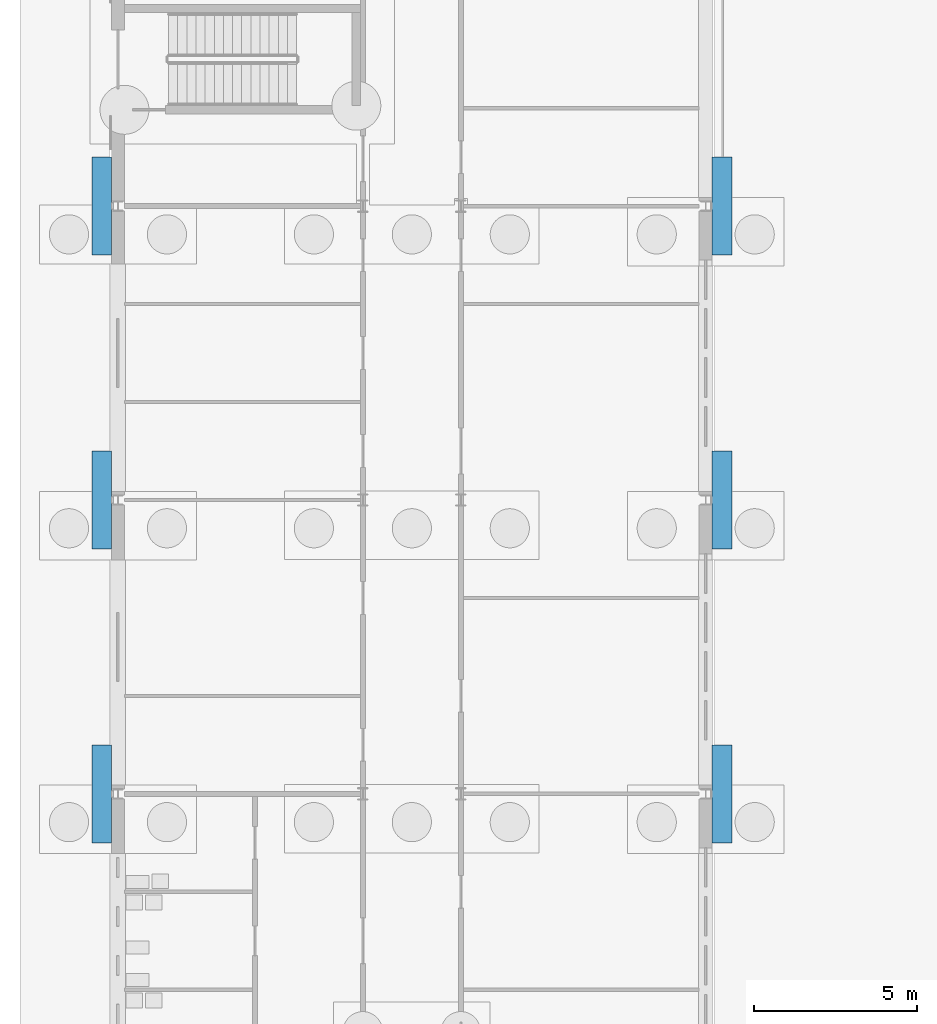
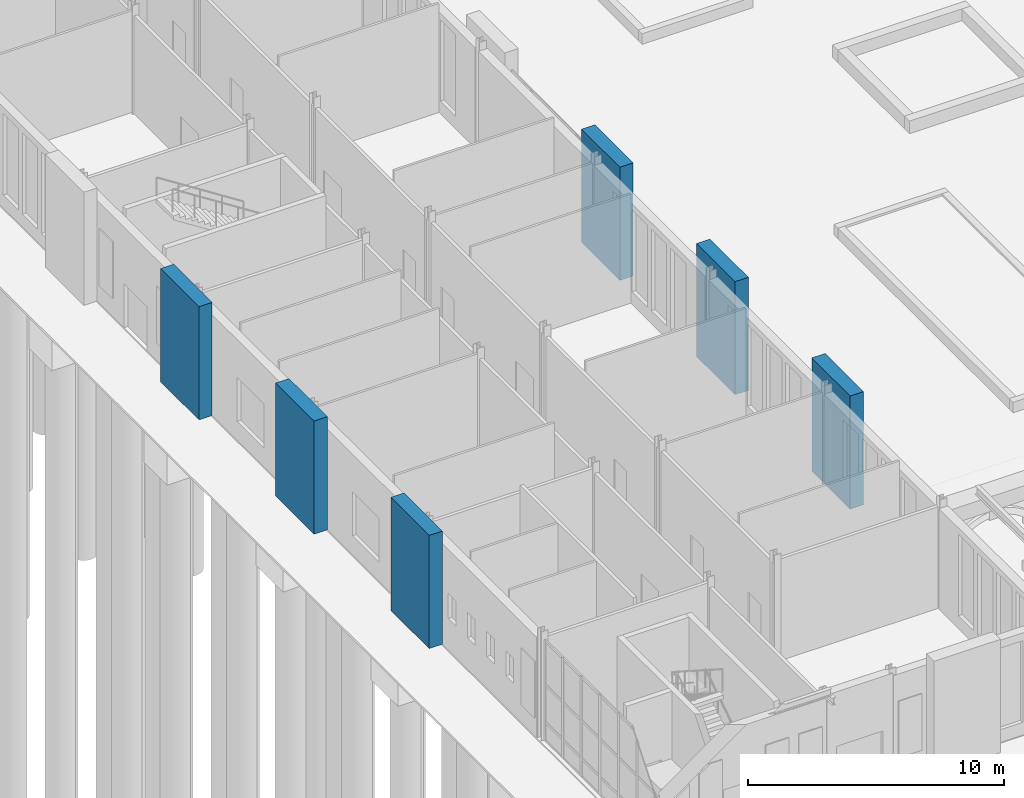
# One storey, part 38 of 168: 6 members.
"""IFC4 building model written with IfcOpenShell, lengths in metres."""

from ifc_helpers import new_model, si_unit, direction, frame, origin, origin_2d, place, context, subcontext, project, spatial, rectangle, extrude, material, material_profile, profile_set, type_object, element, save


model = new_model("IFC4")

# Units and contexts
model_context = context("Model", 3, precision=1e-05, world=origin(), true_north=direction((0.0, 1.0)))
body_context = subcontext(model_context, "Body", "Model", "MODEL_VIEW")
ifc_project = project(units=[si_unit("LENGTHUNIT", "METRE"), si_unit("AREAUNIT", "SQUARE_METRE"), si_unit("VOLUMEUNIT", "CUBIC_METRE"), si_unit("PLANEANGLEUNIT", "RADIAN"), si_unit("MASSUNIT", "GRAM", prefix="KILO")], contexts=[model_context])

# Site, building, storey
site_placement = place(None, origin())
site = spatial("IfcSite", under=ifc_project, at=site_placement, CompositionType="ELEMENT")
building_placement = place(site_placement, origin())
building = spatial("IfcBuilding", under=site, at=building_placement, Name="Golden Quay Civic Hall", CompositionType="ELEMENT")
storey_placement = place(building_placement, origin())
storey = spatial("IfcBuildingStorey", under=building, at=storey_placement, Name="L00", CompositionType="ELEMENT", Elevation=0.0)

# Members
ifc_material = material(Name="Concrete C40/50", Category="concrete")
ifc_material_profile = material_profile(ifc_material, rectangle(XDim=3.0, YDim=0.60009765625, at=origin_2d()), Name="RC 3000x600")
ifc_profile_set = profile_set([ifc_material_profile], Name="Concrete C40/50")
member_type = type_object("IfcMemberType", Name="Precast concrete facade pier 3000 x 600", PredefinedType="POST", material=ifc_profile_set)
for number, where, z_axis, x_axis, name in (
    (1, (-0.5, 9.0, 0.0), (0.0, 0.0, 1.0), (0.0, 1.0, 0.0), "Precast concrete facade pier 3000 x 600 L00 1"),
    (2, (-0.5, 18.0, 0.0), (0.0, 0.0, 1.0), (0.0, 1.0, 0.0), "Precast concrete facade pier 3000 x 600 L00 2"),
    (3, (-0.5, 27.0, 0.0), (0.0, 0.0, 1.0), (0.0, 1.0, 0.0), "Precast concrete facade pier 3000 x 600 L00 3"),
    (4, (18.5, 9.0, 0.0), (0.0, 0.0, 1.0), (0.0, 1.0, 0.0), "Precast concrete facade pier 3000 x 600 L00 11"),
    (5, (18.5, 18.0, 0.0), (0.0, 0.0, 1.0), (0.0, 1.0, 0.0), "Precast concrete facade pier 3000 x 600 L00 12"),
    (6, (18.5, 27.0, 0.0), (0.0, 0.0, 1.0), (0.0, 1.0, 0.0), "Precast concrete facade pier 3000 x 600 L00 13"),
):
    element("IfcMember", number, at=place(storey_placement, frame(where, z_axis=z_axis, x_axis=x_axis)), inside=storey, type_object=member_type, Name=name, PredefinedType="POST", context=body_context, shape_type="SweptSolid", body=[
        extrude(rectangle(XDim=3.0, YDim=0.60009765625, at=origin_2d()), origin(), (0.0, 0.0, 1.0), 5.39990234375),
    ])

save(model, "model.ifc")
